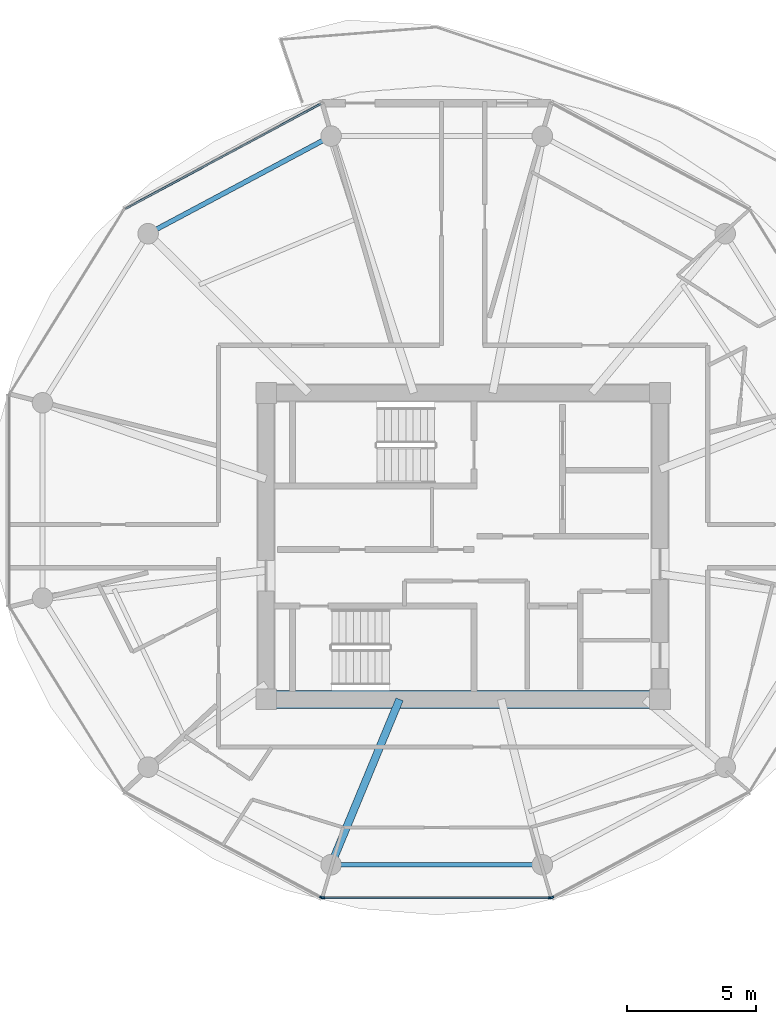
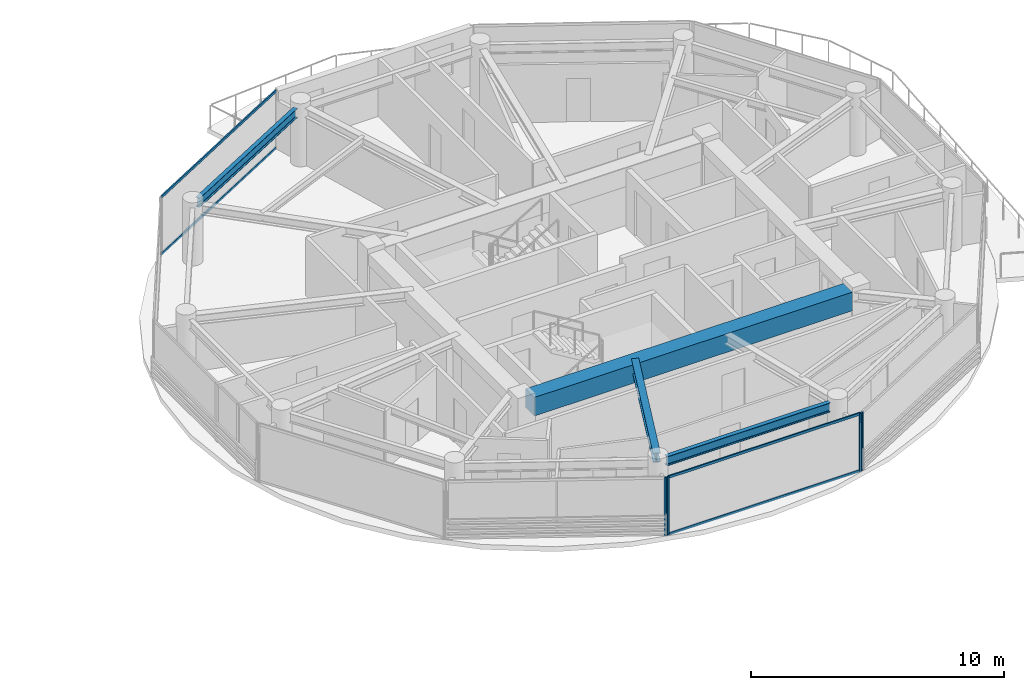
# One storey, part 8 of 22: 8 members, 4 beams, 4 elements without a shape of their own.
"""IFC4 building model written with IfcOpenShell, lengths in metres."""

from ifc_helpers import new_model, si_unit, direction, frame, origin, origin_2d, place, context, subcontext, project, spatial, rectangle, i_section, extrude, source, transform, mapped, material, layer, layer_set, material_profile, profile_set, type_object, type_shapes, element, aggregate, save


model = new_model("IFC4")

# Units and contexts
model_context = context("Model", 3, precision=1e-05, world=origin(), true_north=direction((0.0, 1.0)))
body_context = subcontext(model_context, "Body", "Model", "MODEL_VIEW")
ifc_project = project(units=[si_unit("LENGTHUNIT", "METRE"), si_unit("AREAUNIT", "SQUARE_METRE"), si_unit("VOLUMEUNIT", "CUBIC_METRE"), si_unit("PLANEANGLEUNIT", "RADIAN"), si_unit("MASSUNIT", "GRAM", prefix="KILO")], contexts=[model_context])

# Site, building, storey
site_placement = place(None, origin())
site = spatial("IfcSite", under=ifc_project, at=site_placement, CompositionType="ELEMENT")
building_placement = place(site_placement, origin())
building = spatial("IfcBuilding", under=site, at=building_placement, Name="Norrkilde Senior Care Towers", CompositionType="ELEMENT")
storey_placement = place(building_placement, frame((0.0, 0.0, 170.89990234375)))
storey = spatial("IfcBuildingStorey", under=building, at=storey_placement, Name="L53", CompositionType="ELEMENT", Elevation=170.89990234375)

# Beams
ifc_material_1 = material(Name="Concrete C60/75", Category="concrete")
ifc_material_profile_1 = material_profile(ifc_material_1, rectangle(XDim=0.699951171875, YDim=0.89990234375, at=origin_2d()), Name="RC BM 700x900")
ifc_profile_set_1 = profile_set([ifc_material_profile_1], Name="Concrete C60/75")
beam_type_1 = type_object("IfcBeamType", Name="Core Coupling Girder 700x900", PredefinedType="USERDEFINED", material=ifc_profile_set_1)
shared_shape_1 = source(origin(), body_context, "Body", "SweptSolid", [
    extrude(rectangle(XDim=0.699951171875, YDim=0.89990234375, at=origin_2d()), origin(), (0.0, 0.0, 1.0), 14.5400390625),
])
type_shapes(beam_type_1, [shared_shape_1])
beam_1_placement = place(storey_placement, frame((20.72998046875, -5.949951171875, 2.360107421875), z_axis=(1.0, 0.0, 0.0), x_axis=(0.0, 1.0, 0.0)))
element("IfcBeam", 1, at=beam_1_placement, inside=storey, type_object=beam_type_1, Name="L53 Core E S Coupling Girder", ObjectType="GIRDER", PredefinedType="USERDEFINED", context=body_context, shape_type="MappedRepresentation", body=[
    mapped(shared_shape_1, transform((0.0, 0.0, 0.0), x_axis=(1.0, 0.0, 0.0), y_axis=(0.0, 1.0, 0.0), z_axis=(0.0, 0.0, 1.0), scale=1.0)),
])
ifc_material_2 = material(Name="Steel S355", Category="steel")
ifc_material_profile_2 = material_profile(ifc_material_2, i_section(OverallWidth=0.18994140625, OverallDepth=0.449951171875, WebThickness=0.009521484375, FlangeThickness=0.0146484375, FilletRadius=0.02099609375, at=origin_2d()), Name="IPE 450")
ifc_profile_set_2 = profile_set([ifc_material_profile_2], Name="Steel S355")
beam_type_2 = type_object("IfcBeamType", Name="Perimeter Ring Spandrel Z3 IPE450", PredefinedType="SPANDREL", material=ifc_profile_set_2)
shared_shape_2 = source(origin(), body_context, "Body", "SweptSolid", [
    extrude(i_section(OverallWidth=0.18994140625, OverallDepth=0.449951171875, WebThickness=0.009521484375, FlangeThickness=0.0146484375, FilletRadius=0.02099609375, at=origin_2d()), origin(), (0.0, 0.0, 1.0), 7.333740234375),
])
beam_2_placement = place(storey_placement, frame((22.55517578125, 15.756591796875, 2.585205078125), z_axis=(-0.882247866069, -0.470785198172, 0.0), x_axis=(0.470785198172, -0.882247866069, 0.0)))
element("IfcBeam", 2, at=beam_2_placement, inside=storey, type_object=beam_type_2, Name="L53 Drum E Perimeter Spandrel 04", PredefinedType="SPANDREL", context=body_context, shape_type="MappedRepresentation", body=[
    mapped(shared_shape_2, transform((0.0, 0.0, 0.0), x_axis=(1.0, 0.0, 0.0), y_axis=(0.0, 1.0, 0.0), z_axis=(0.0, 0.0, 1.0), scale=1.0)),
])
shared_shape_3 = source(origin(), body_context, "Body", "SweptSolid", [
    extrude(i_section(OverallWidth=0.18994140625, OverallDepth=0.449951171875, WebThickness=0.009521484375, FlangeThickness=0.0146484375, FilletRadius=0.02099609375, at=origin_2d()), origin(), (0.0, 0.0, 1.0), 7.484619140625),
])
type_shapes(beam_type_2, [shared_shape_2, shared_shape_3])
beam_3_placement = place(storey_placement, frame((23.232666015625, -12.37548828125, 2.585205078125), z_axis=(1.0, 0.0, 0.0), x_axis=(0.0, 1.0, 0.0)))
element("IfcBeam", 3, at=beam_3_placement, inside=storey, type_object=beam_type_2, Name="L53 Drum E Perimeter Spandrel 09", PredefinedType="SPANDREL", context=body_context, shape_type="MappedRepresentation", body=[
    mapped(shared_shape_3, transform((0.0, 0.0, 0.0), x_axis=(1.0, 0.0, 0.0), y_axis=(0.0, 1.0, 0.0), z_axis=(0.0, 0.0, 1.0), scale=1.0)),
])
ifc_material_profile_3 = material_profile(ifc_material_2, i_section(OverallWidth=0.300048828125, OverallDepth=0.449951171875, WebThickness=0.013916015625, FlangeThickness=0.02587890625, FilletRadius=0.027099609375, at=origin_2d()), Name="HEB 450")
ifc_profile_set_3 = profile_set([ifc_material_profile_3], Name="Steel S355")
beam_type_3 = type_object("IfcBeamType", Name="Radial Floor Beam Z3 HEB450", PredefinedType="BEAM", material=ifc_profile_set_3)
shared_shape_4 = source(origin(), body_context, "Body", "SweptSolid", [
    extrude(i_section(OverallWidth=0.300048828125, OverallDepth=0.449951171875, WebThickness=0.013916015625, FlangeThickness=0.02587890625, FilletRadius=0.027099609375, at=origin_2d()), origin(), (0.0, 0.0, 1.0), 6.59521484375),
])
type_shapes(beam_type_3, [shared_shape_4])
beam_4_placement = place(storey_placement, frame((25.534912109375, -5.949951171875, 2.585205078125), z_axis=(-0.382761541363, -0.923847174836, 0.0), x_axis=(0.923847174836, -0.382761541363, 0.0)))
element("IfcBeam", 4, at=beam_4_placement, inside=storey, type_object=beam_type_3, Name="L53 Drum E Radial Floor Beam 09", PredefinedType="BEAM", context=body_context, shape_type="MappedRepresentation", body=[
    mapped(shared_shape_4, transform((0.0, 0.0, 0.0), x_axis=(1.0, 0.0, 0.0), y_axis=(0.0, 1.0, 0.0), z_axis=(0.0, 0.0, 1.0), scale=1.0)),
])

# Curtain wall, member
ifc_material_3 = material(Name="Triple Low-E Insulated Glazing", Category="glass")
ifc_layer = layer(ifc_material_3, 0.18994140625)
ifc_layer_set = layer_set([ifc_layer], Name="Triple Low-E Insulated Glazing")
curtain_wall_type = type_object("IfcCurtainWallType", Name="CW4 Zone 3 Senior Residence Curtain Wall", PredefinedType="NOTDEFINED", material=ifc_layer_set)
curtain_wall_1_placement = place(storey_placement, origin())
curtain_wall_1 = element("IfcCurtainWall", 5, at=curtain_wall_1_placement, inside=storey, type_object=curtain_wall_type, Name="L53 Drum E Curtain Wall 07", PredefinedType="NOTDEFINED")
ifc_material_4 = material(Name="Anodised Aluminium", Category="aluminium")
ifc_material_profile_4 = material_profile(ifc_material_4, rectangle(XDim=0.06494140625, YDim=0.14990234375, at=origin_2d()), Name="ALU MULL 65x150")
ifc_profile_set_4 = profile_set([ifc_material_profile_4], Name="Anodised Aluminium")
member_type_1 = type_object("IfcMemberType", Name="Curtain Wall Mullion Z3-Z4 65x150", PredefinedType="MULLION", material=ifc_profile_set_4)
shared_shape_5 = source(origin(), body_context, "Body", "SweptSolid", [
    extrude(rectangle(XDim=0.06494140625, YDim=0.14990234375, at=origin_2d()), origin(), (0.0, 0.0, 1.0), 2.81005859375),
])
type_shapes(member_type_1, [shared_shape_5])
member_1_placement = place(storey_placement, frame((22.499755859375, -13.644775390625, 0.0), z_axis=(0.0, 0.0, 1.0), x_axis=(-0.47311715104, -0.880999524059, 0.0)))
member_1 = element("IfcMember", 6, at=member_1_placement, type_object=member_type_1, Name="CW-4 mullion 1", PredefinedType="MULLION", context=body_context, shape_type="MappedRepresentation", body=[
    mapped(shared_shape_5, transform((0.0, 0.0, 0.0), x_axis=(1.0, 0.0, 0.0), y_axis=(0.0, 1.0, 0.0), z_axis=(0.0, 0.0, 1.0), scale=1.0)),
])
aggregate(curtain_wall_1, [member_1])

# Curtain wall, members
curtain_wall_2_placement = place(storey_placement, origin())
curtain_wall_2 = element("IfcCurtainWall", 7, at=curtain_wall_2_placement, inside=storey, type_object=curtain_wall_type, Name="L53 Drum E Curtain Wall 08", PredefinedType="NOTDEFINED")
member_2_placement = place(storey_placement, frame((31.388916015625, -13.66015625, 0.0), z_axis=(0.0, 0.0, 1.0), x_axis=(0.0, -1.0, 0.0)))
member_2 = element("IfcMember", 8, at=member_2_placement, type_object=member_type_1, Name="CW-4 mullion 1", PredefinedType="MULLION", context=body_context, shape_type="MappedRepresentation", body=[
    mapped(shared_shape_5, transform((0.0, 0.0, 0.0), x_axis=(1.0, 0.0, 0.0), y_axis=(0.0, 1.0, 0.0), z_axis=(0.0, 0.0, 1.0), scale=1.0)),
])
member_3_placement = place(storey_placement, frame((22.56103515625, -13.66015625, 0.0), z_axis=(0.0, 0.0, 1.0), x_axis=(0.0, -1.0, 0.0)))
member_3 = element("IfcMember", 9, at=member_3_placement, type_object=member_type_1, Name="CW-4 mullion 2", PredefinedType="MULLION", context=body_context, shape_type="MappedRepresentation", body=[
    mapped(shared_shape_5, transform((0.0, 0.0, 0.0), x_axis=(1.0, 0.0, 0.0), y_axis=(0.0, 1.0, 0.0), z_axis=(0.0, 0.0, 1.0), scale=1.0)),
])

# Curtain wall, member
curtain_wall_3_placement = place(storey_placement, origin())
curtain_wall_3 = element("IfcCurtainWall", 10, at=curtain_wall_3_placement, inside=storey, type_object=curtain_wall_type, Name="L53 Drum E Curtain Wall 09", PredefinedType="NOTDEFINED")
member_4_placement = place(storey_placement, frame((31.4501953125, -13.644775390625, 0.0), z_axis=(0.0, 0.0, 1.0), x_axis=(0.47311715104, -0.880999524059, 0.0)))
member_4 = element("IfcMember", 11, at=member_4_placement, type_object=member_type_1, Name="CW-4 mullion 2", PredefinedType="MULLION", context=body_context, shape_type="MappedRepresentation", body=[
    mapped(shared_shape_5, transform((0.0, 0.0, 0.0), x_axis=(1.0, 0.0, 0.0), y_axis=(0.0, 1.0, 0.0), z_axis=(0.0, 0.0, 1.0), scale=1.0)),
])
aggregate(curtain_wall_3, [member_4])

# Curtain wall, members
curtain_wall_4_placement = place(storey_placement, origin())
curtain_wall_4 = element("IfcCurtainWall", 12, at=curtain_wall_4_placement, inside=storey, type_object=curtain_wall_type, Name="L53 Drum E Curtain Wall 03", PredefinedType="NOTDEFINED")
ifc_material_profile_5 = material_profile(ifc_material_4, rectangle(XDim=0.06005859375, YDim=0.1201171875, at=origin_2d()), Name="ALU TRAN 60x120")
ifc_profile_set_5 = profile_set([ifc_material_profile_5], Name="Anodised Aluminium")
member_type_2 = type_object("IfcMemberType", Name="Curtain Wall Transom Typical 60x120", PredefinedType="USERDEFINED", material=ifc_profile_set_5)
shared_shape_6 = source(origin(), body_context, "Body", "SweptSolid", [
    extrude(rectangle(XDim=0.06005859375, YDim=0.1201171875, at=origin_2d()), origin(), (0.0, 0.0, 1.0), 8.61181640625),
])
member_5_placement = place(storey_placement, frame((14.88427734375, 13.105712890625, 0.030029296875), z_axis=(0.880993991641, 0.473127452906, 0.0), x_axis=(-0.473127452906, 0.880993991641, 0.0)))
member_5 = element("IfcMember", 13, at=member_5_placement, type_object=member_type_2, Name="CW-4 transom 1.1", ObjectType="TRANSOM", PredefinedType="USERDEFINED", context=body_context, shape_type="MappedRepresentation", body=[
    mapped(shared_shape_6, transform((0.0, 0.0, 0.0), x_axis=(1.0, 0.0, 0.0), y_axis=(0.0, 1.0, 0.0), z_axis=(0.0, 0.0, 1.0), scale=1.0)),
])
member_6_placement = place(storey_placement, frame((14.88427734375, 13.105712890625, 2.780029296875), z_axis=(0.880993991641, 0.473127452906, 0.0), x_axis=(-0.473127452906, 0.880993991641, 0.0)))
member_6 = element("IfcMember", 14, at=member_6_placement, type_object=member_type_2, Name="CW-4 transom 1.2", ObjectType="TRANSOM", PredefinedType="USERDEFINED", context=body_context, shape_type="MappedRepresentation", body=[
    mapped(shared_shape_6, transform((0.0, 0.0, 0.0), x_axis=(1.0, 0.0, 0.0), y_axis=(0.0, 1.0, 0.0), z_axis=(0.0, 0.0, 1.0), scale=1.0)),
])
aggregate(curtain_wall_4, [member_5, member_6])

# Member
shared_shape_7 = source(origin(), body_context, "Body", "SweptSolid", [
    extrude(rectangle(XDim=0.06005859375, YDim=0.1201171875, at=origin_2d()), origin(), (0.0, 0.0, 1.0), 8.762939453125),
])
type_shapes(member_type_2, [shared_shape_6, shared_shape_7])
member_7_placement = place(storey_placement, frame((31.3564453125, -13.66015625, 0.030029296875), z_axis=(-1.0, 0.0, 0.0), x_axis=(0.0, -1.0, 0.0)))
member_7 = element("IfcMember", 15, at=member_7_placement, type_object=member_type_2, Name="CW-4 transom 1.1", ObjectType="TRANSOM", PredefinedType="USERDEFINED", context=body_context, shape_type="MappedRepresentation", body=[
    mapped(shared_shape_7, transform((0.0, 0.0, 0.0), x_axis=(1.0, 0.0, 0.0), y_axis=(0.0, 1.0, 0.0), z_axis=(0.0, 0.0, 1.0), scale=1.0)),
])

member_8_placement = place(storey_placement, frame((31.3564453125, -13.66015625, 2.780029296875), z_axis=(-1.0, 0.0, 0.0), x_axis=(0.0, -1.0, 0.0)))
member_8 = element("IfcMember", 16, at=member_8_placement, type_object=member_type_2, Name="CW-4 transom 1.2", ObjectType="TRANSOM", PredefinedType="USERDEFINED", context=body_context, shape_type="MappedRepresentation", body=[
    mapped(shared_shape_7, transform((0.0, 0.0, 0.0), x_axis=(1.0, 0.0, 0.0), y_axis=(0.0, 1.0, 0.0), z_axis=(0.0, 0.0, 1.0), scale=1.0)),
])

aggregate(curtain_wall_2, [member_2, member_3, member_7, member_8])

save(model, "model.ifc")
